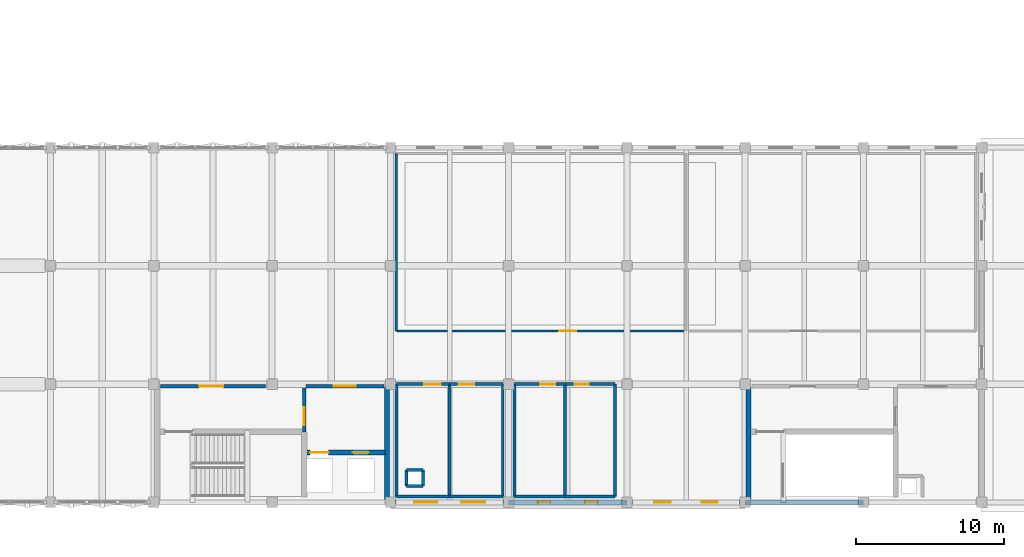
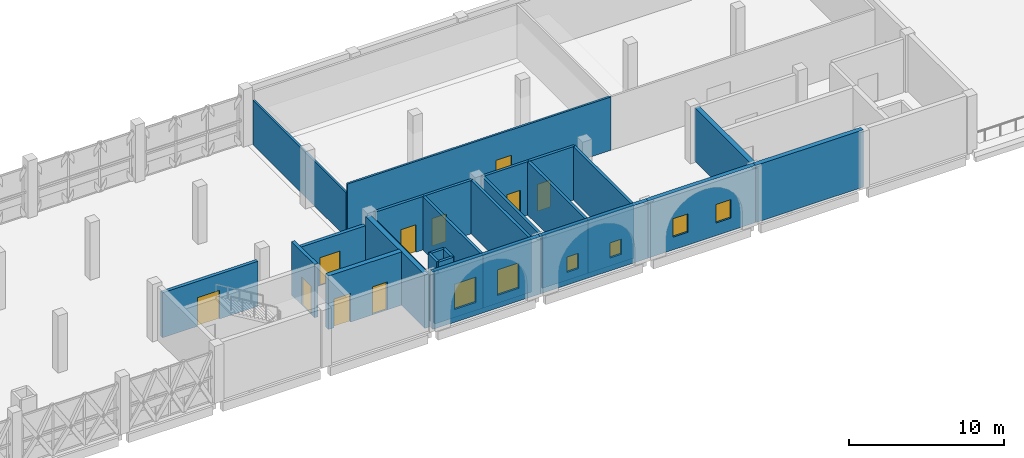
# One storey, part 28 of 45: 30 walls, 10 doors, 6 windows, 16 openings.
"""IFC4 building model written with IfcOpenShell, lengths in metres."""

from ifc_helpers import new_model, si_unit, direction, frame, frame_2d, origin, place, context, subcontext, project, spatial, rectangle, extrude, material, layer, layer_set, type_object, element, fill, save


model = new_model("IFC4")

# Units and contexts
model_context = context("Model", 3, precision=1e-05, world=origin(), true_north=direction((0.0, 1.0)))
body_context = subcontext(model_context, "Body", "Model", "MODEL_VIEW")
ifc_project = project(units=[si_unit("LENGTHUNIT", "METRE"), si_unit("AREAUNIT", "SQUARE_METRE"), si_unit("VOLUMEUNIT", "CUBIC_METRE"), si_unit("PLANEANGLEUNIT", "RADIAN"), si_unit("MASSUNIT", "GRAM", prefix="KILO")], contexts=[model_context])

# Site, building, storey
site_placement = place(None, origin())
site = spatial("IfcSite", under=ifc_project, at=site_placement, CompositionType="ELEMENT")
building_placement = place(site_placement, origin())
building = spatial("IfcBuilding", under=site, at=building_placement, Name="Qorikala Patio Media Centre", CompositionType="ELEMENT")
storey_placement = place(building_placement, frame((0.0, 0.0, 9.89990234375)))
storey = spatial("IfcBuildingStorey", under=building, at=storey_placement, Name="L02", CompositionType="ELEMENT", Elevation=9.89990234375)

# Walls
ifc_material_1 = material(Name="Concrete C35/45", Category="concrete")
ifc_layer_1 = layer(ifc_material_1, 0.35009765625)
ifc_layer_set_1 = layer_set([ifc_layer_1], Name="Concrete C35/45")
wall_type_1 = type_object("IfcWallType", Name="WL-CORE-350", PredefinedType="SHEAR", material=ifc_layer_set_1)
wall_1_placement = place(storey_placement, frame((130.0, 3.0, 0.0), z_axis=(0.0, 0.0, 1.0), x_axis=(-1.0, 0.0, 0.0)))
element("IfcWall", 1, at=wall_1_placement, inside=storey, type_object=wall_type_1, Name="L02 Core C7 Exterior Shear Wall", PredefinedType="SHEAR", context=body_context, shape_type="SweptSolid", body=[
    extrude(rectangle(XDim=8.0, YDim=0.35009765625, at=frame_2d((4.0, 0.0))), origin(), (0.0, 0.0, 1.0), 4.5),
])
wall_2_placement = place(storey_placement, frame((97.77490234375, 3.199951171875, 0.0), z_axis=(0.0, 0.0, 1.0), x_axis=(0.0, 1.0, 0.0)))
element("IfcWall", 2, at=wall_2_placement, inside=storey, type_object=wall_type_1, Name="L02 Interior Wall CW-L02-C4-EE", PredefinedType="SHEAR", context=body_context, shape_type="SweptSolid", body=[
    extrude(rectangle(XDim=7.60009765625, YDim=0.35009765625, at=frame_2d((3.800048828125, 0.0))), origin(), (0.0, 0.0, 1.0), 4.2001953125),
])

# Wall, openings, doors
wall_3_placement = place(storey_placement, frame((92.175048828125, 6.375, 0.0), z_axis=(0.0, 0.0, 1.0), x_axis=(1.0, 0.0, 0.0)))
wall_3 = element("IfcWall", 3, at=wall_3_placement, inside=storey, type_object=wall_type_1, Name="L02 Interior Wall CW-L02-C4-LFN", PredefinedType="SHEAR", context=body_context, shape_type="SweptSolid", body=[
    extrude(rectangle(XDim=5.474853515625, YDim=0.35009765625, at=frame_2d((2.7373046875, 0.0))), origin(), (0.0, 0.0, 1.0), 4.2001953125),
])
opening_1_placement = place(wall_3_placement, frame((0.39990234375, 0.0, 0.0)))
opening_1 = element("IfcOpeningElement", 4, at=opening_1_placement, cuts=wall_3, Name="Opening LD35", PredefinedType="OPENING", context=body_context, shape_type="SweptSolid", body=[
    extrude(rectangle(XDim=1.25, YDim=2.25, at=frame_2d((0.625, 1.125))), frame((0.0, 0.18505859375, 0.0), z_axis=(0.0, -1.0, 0.0), x_axis=(1.0, 0.0, 0.0)), (0.0, 0.0, 1.0), 0.3701171875),
])
opening_2_placement = place(wall_3_placement, frame((3.27490234375, 0.0, 0.0)))
opening_2 = element("IfcOpeningElement", 5, at=opening_2_placement, cuts=wall_3, Name="Opening LD36", PredefinedType="OPENING", context=body_context, shape_type="SweptSolid", body=[
    extrude(rectangle(XDim=1.10009765625, YDim=2.199951171875, at=frame_2d((0.550048828125, 1.10009765625))), frame((0.0, 0.18505859375, 0.0), z_axis=(0.0, -1.0, 0.0), x_axis=(1.0, 0.0, 0.0)), (0.0, 0.0, 1.0), 0.3701171875),
])
ifc_material_2 = material(Name="Brushed Bronze Stainless Steel", Category="steel")
door_type_1 = type_object("IfcDoorType", Name="DR-LD-110X220", OperationType="DOUBLE_DOOR_SLIDING", PredefinedType="DOOR", material=ifc_material_2)
door_1_placement = place(opening_2_placement, origin())
door_1 = element("IfcDoor", 6, at=door_1_placement, inside=storey, type_object=door_type_1, Name="L02 Lift LP-02 Sliding Landing Door", OperationType="DOUBLE_DOOR_SLIDING", OverallHeight=2.199951171875, OverallWidth=1.10009765625, PredefinedType="DOOR", context=body_context, shape_type="SweptSolid", body=[
    extrude(rectangle(XDim=1.10009765625, YDim=2.199951171875, at=frame_2d((0.550048828125, 1.10009765625))), frame((0.0, 0.02490234375, 0.0), z_axis=(0.0, -1.0, 0.0), x_axis=(1.0, 0.0, 0.0)), (0.0, 0.0, 1.0), 0.050048828125),
])
fill(opening_2, door_1)
door_type_2 = type_object("IfcDoorType", Name="DR-LD-125X225", OperationType="DOUBLE_DOOR_SLIDING", PredefinedType="DOOR", material=ifc_material_2)
door_2_placement = place(opening_1_placement, origin())
door_2 = element("IfcDoor", 7, at=door_2_placement, inside=storey, type_object=door_type_2, Name="L02 Lift LP-01 Sliding Landing Door", OperationType="DOUBLE_DOOR_SLIDING", OverallHeight=2.25, OverallWidth=1.25, PredefinedType="DOOR", context=body_context, shape_type="SweptSolid", body=[
    extrude(rectangle(XDim=1.25, YDim=2.25, at=frame_2d((0.625, 1.125))), frame((0.0, 0.02490234375, 0.0), z_axis=(0.0, -1.0, 0.0), x_axis=(1.0, 0.0, 0.0)), (0.0, 0.0, 1.0), 0.050048828125),
])
fill(opening_1, door_2)

# Wall
wall_4_placement = place(storey_placement, frame((122.22509765625, 3.199951171875, 0.0), z_axis=(0.0, 0.0, 1.0), x_axis=(0.0, 1.0, 0.0)))
element("IfcWall", 8, at=wall_4_placement, inside=storey, type_object=wall_type_1, Name="L02 Interior Wall CW-L02-C7-SW", PredefinedType="SHEAR", context=body_context, shape_type="SweptSolid", body=[
    extrude(rectangle(XDim=7.60009765625, YDim=0.35009765625, at=frame_2d((3.800048828125, 0.0))), origin(), (0.0, 0.0, 1.0), 4.2001953125),
])

# Wall, openings, windows
ifc_material_3 = material(Name="Ivory Lime Stucco and Concrete C35/45", Category="concrete")
ifc_layer_2 = layer(ifc_material_3, 0.320068359375)
ifc_layer_set_2 = layer_set([ifc_layer_2], Name="Ivory Lime Stucco and Concrete C35/45")
wall_type_2 = type_object("IfcWallType", Name="WL-EXT-320", PredefinedType="SOLIDWALL", material=ifc_layer_set_2)
wall_5_placement = place(storey_placement, frame((122.0, 3.0, 0.0), z_axis=(0.0, 0.0, 1.0), x_axis=(-1.0, 0.0, 0.0)))
wall_5 = element("IfcWall", 9, at=wall_5_placement, inside=storey, type_object=wall_type_2, Name="L02 Exterior Wall WL-L02-EXT-0019", PredefinedType="SOLIDWALL", context=body_context, shape_type="SweptSolid", body=[
    extrude(rectangle(XDim=8.0, YDim=0.320068359375, at=frame_2d((4.0, 0.0))), origin(), (0.0, 0.0, 1.0), 4.5),
])
opening_3_placement = place(wall_5_placement, frame((1.85009765625, 0.0, 1.0)))
opening_3 = element("IfcOpeningElement", 10, at=opening_3_placement, cuts=wall_5, Name="Opening WE-110", PredefinedType="OPENING", context=body_context, shape_type="SweptSolid", body=[
    extrude(rectangle(XDim=1.10009765625, YDim=1.449951171875, at=frame_2d((0.550048828125, 0.72509765625))), frame((0.0, 0.169921875, 0.0), z_axis=(0.0, -1.0, 0.0), x_axis=(1.0, 0.0, 0.0)), (0.0, 0.0, 1.0), 0.340087890625),
])
opening_4_placement = place(wall_5_placement, frame((5.050048828125, 0.0, 1.0)))
opening_4 = element("IfcOpeningElement", 11, at=opening_4_placement, cuts=wall_5, Name="Opening WE-110", PredefinedType="OPENING", context=body_context, shape_type="SweptSolid", body=[
    extrude(rectangle(XDim=1.10009765625, YDim=1.449951171875, at=frame_2d((0.550048828125, 0.72509765625))), frame((0.0, 0.169921875, 0.0), z_axis=(0.0, -1.0, 0.0), x_axis=(1.0, 0.0, 0.0)), (0.0, 0.0, 1.0), 0.340087890625),
])
ifc_material_4 = material(Name="Bronze Anodised Aluminium and Low-E Glass", Category="aluminium")
window_type_1 = type_object("IfcWindowType", Name="WN-ED-110X145", PartitioningType="SINGLE_PANEL", PredefinedType="WINDOW", material=ifc_material_4)
window_1_placement = place(opening_3_placement, origin())
window_1 = element("IfcWindow", 12, at=window_1_placement, inside=storey, type_object=window_type_1, Name="L02 Editing Wing Casement Window 0141", OverallHeight=1.449951171875, OverallWidth=1.10009765625, PartitioningType="SINGLE_PANEL", PredefinedType="WINDOW", context=body_context, shape_type="SweptSolid", body=[
    extrude(rectangle(XDim=1.10009765625, YDim=1.449951171875, at=frame_2d((0.550048828125, 0.72509765625))), frame((0.0, 0.030029296875, 0.0), z_axis=(0.0, -1.0, 0.0), x_axis=(1.0, 0.0, 0.0)), (0.0, 0.0, 1.0), 0.06005859375),
])
fill(opening_3, window_1)
window_2_placement = place(opening_4_placement, origin())
window_2 = element("IfcWindow", 13, at=window_2_placement, inside=storey, type_object=window_type_1, Name="L02 Editing Wing Casement Window 0142", OverallHeight=1.449951171875, OverallWidth=1.10009765625, PartitioningType="SINGLE_PANEL", PredefinedType="WINDOW", context=body_context, shape_type="SweptSolid", body=[
    extrude(rectangle(XDim=1.10009765625, YDim=1.449951171875, at=frame_2d((0.550048828125, 0.72509765625))), frame((0.0, 0.030029296875, 0.0), z_axis=(0.0, -1.0, 0.0), x_axis=(1.0, 0.0, 0.0)), (0.0, 0.0, 1.0), 0.06005859375),
])
fill(opening_4, window_2)

wall_6_placement = place(storey_placement, frame((114.0, 3.0, 0.0), z_axis=(0.0, 0.0, 1.0), x_axis=(-1.0, 0.0, 0.0)))
wall_6 = element("IfcWall", 14, at=wall_6_placement, inside=storey, type_object=wall_type_2, Name="L02 Exterior Wall WL-L02-EXT-0020", PredefinedType="SOLIDWALL", context=body_context, shape_type="SweptSolid", body=[
    extrude(rectangle(XDim=8.0, YDim=0.320068359375, at=frame_2d((4.0, 0.0))), origin(), (0.0, 0.0, 1.0), 4.5),
])
opening_5_placement = place(wall_6_placement, frame((1.97509765625, 0.0, 1.0)))
opening_5 = element("IfcOpeningElement", 15, at=opening_5_placement, cuts=wall_6, Name="Opening WE-085", PredefinedType="OPENING", context=body_context, shape_type="SweptSolid", body=[
    extrude(rectangle(XDim=0.85009765625, YDim=1.199951171875, at=frame_2d((0.425048828125, 0.60009765625))), frame((0.0, 0.169921875, 0.0), z_axis=(0.0, -1.0, 0.0), x_axis=(1.0, 0.0, 0.0)), (0.0, 0.0, 1.0), 0.340087890625),
])
opening_6_placement = place(wall_6_placement, frame((5.175048828125, 0.0, 1.0)))
opening_6 = element("IfcOpeningElement", 16, at=opening_6_placement, cuts=wall_6, Name="Opening WE-085", PredefinedType="OPENING", context=body_context, shape_type="SweptSolid", body=[
    extrude(rectangle(XDim=0.85009765625, YDim=1.199951171875, at=frame_2d((0.425048828125, 0.60009765625))), frame((0.0, 0.169921875, 0.0), z_axis=(0.0, -1.0, 0.0), x_axis=(1.0, 0.0, 0.0)), (0.0, 0.0, 1.0), 0.340087890625),
])
window_type_2 = type_object("IfcWindowType", Name="WN-ED-085X120", PartitioningType="SINGLE_PANEL", PredefinedType="WINDOW", material=ifc_material_4)
window_3_placement = place(opening_5_placement, origin())
window_3 = element("IfcWindow", 17, at=window_3_placement, inside=storey, type_object=window_type_2, Name="L02 Editing Wing Casement Window 0143", OverallHeight=1.199951171875, OverallWidth=0.85009765625, PartitioningType="SINGLE_PANEL", PredefinedType="WINDOW", context=body_context, shape_type="SweptSolid", body=[
    extrude(rectangle(XDim=0.85009765625, YDim=1.199951171875, at=frame_2d((0.425048828125, 0.60009765625))), frame((0.0, 0.030029296875, 0.0), z_axis=(0.0, -1.0, 0.0), x_axis=(1.0, 0.0, 0.0)), (0.0, 0.0, 1.0), 0.06005859375),
])
fill(opening_5, window_3)
window_4_placement = place(opening_6_placement, origin())
window_4 = element("IfcWindow", 18, at=window_4_placement, inside=storey, type_object=window_type_2, Name="L02 Editing Wing Casement Window 0144", OverallHeight=1.199951171875, OverallWidth=0.85009765625, PartitioningType="SINGLE_PANEL", PredefinedType="WINDOW", context=body_context, shape_type="SweptSolid", body=[
    extrude(rectangle(XDim=0.85009765625, YDim=1.199951171875, at=frame_2d((0.425048828125, 0.60009765625))), frame((0.0, 0.030029296875, 0.0), z_axis=(0.0, -1.0, 0.0), x_axis=(1.0, 0.0, 0.0)), (0.0, 0.0, 1.0), 0.06005859375),
])
fill(opening_6, window_4)

wall_7_placement = place(storey_placement, frame((106.0, 3.0, 0.0), z_axis=(0.0, 0.0, 1.0), x_axis=(-1.0, 0.0, 0.0)))
wall_7 = element("IfcWall", 19, at=wall_7_placement, inside=storey, type_object=wall_type_2, Name="L02 Exterior Wall WL-L02-EXT-0021", PredefinedType="SOLIDWALL", context=body_context, shape_type="SweptSolid", body=[
    extrude(rectangle(XDim=8.0, YDim=0.320068359375, at=frame_2d((4.0, 0.0))), origin(), (0.0, 0.0, 1.0), 4.5),
])
opening_7_placement = place(wall_7_placement, frame((1.60009765625, 0.0, 1.0)))
opening_7 = element("IfcOpeningElement", 20, at=opening_7_placement, cuts=wall_7, Name="Opening WE-160", PredefinedType="OPENING", context=body_context, shape_type="SweptSolid", body=[
    extrude(rectangle(XDim=1.60009765625, YDim=2.0, at=frame_2d((0.800048828125, 1.0))), frame((0.0, 0.169921875, 0.0), z_axis=(0.0, -1.0, 0.0), x_axis=(1.0, 0.0, 0.0)), (0.0, 0.0, 1.0), 0.340087890625),
])
opening_8_placement = place(wall_7_placement, frame((4.800048828125, 0.0, 1.0)))
opening_8 = element("IfcOpeningElement", 21, at=opening_8_placement, cuts=wall_7, Name="Opening WE-160", PredefinedType="OPENING", context=body_context, shape_type="SweptSolid", body=[
    extrude(rectangle(XDim=1.60009765625, YDim=2.0, at=frame_2d((0.800048828125, 1.0))), frame((0.0, 0.169921875, 0.0), z_axis=(0.0, -1.0, 0.0), x_axis=(1.0, 0.0, 0.0)), (0.0, 0.0, 1.0), 0.340087890625),
])
window_type_3 = type_object("IfcWindowType", Name="WN-ED-160X200", PartitioningType="SINGLE_PANEL", PredefinedType="WINDOW", material=ifc_material_4)
window_5_placement = place(opening_7_placement, origin())
window_5 = element("IfcWindow", 22, at=window_5_placement, inside=storey, type_object=window_type_3, Name="L02 Editing Wing Casement Window 0145", OverallHeight=2.0, OverallWidth=1.60009765625, PartitioningType="SINGLE_PANEL", PredefinedType="WINDOW", context=body_context, shape_type="SweptSolid", body=[
    extrude(rectangle(XDim=1.60009765625, YDim=2.0, at=frame_2d((0.800048828125, 1.0))), frame((0.0, 0.030029296875, 0.0), z_axis=(0.0, -1.0, 0.0), x_axis=(1.0, 0.0, 0.0)), (0.0, 0.0, 1.0), 0.06005859375),
])
fill(opening_7, window_5)
window_6_placement = place(opening_8_placement, origin())
window_6 = element("IfcWindow", 23, at=window_6_placement, inside=storey, type_object=window_type_3, Name="L02 Editing Wing Casement Window 0146", OverallHeight=2.0, OverallWidth=1.60009765625, PartitioningType="SINGLE_PANEL", PredefinedType="WINDOW", context=body_context, shape_type="SweptSolid", body=[
    extrude(rectangle(XDim=1.60009765625, YDim=2.0, at=frame_2d((0.800048828125, 1.0))), frame((0.0, 0.030029296875, 0.0), z_axis=(0.0, -1.0, 0.0), x_axis=(1.0, 0.0, 0.0)), (0.0, 0.0, 1.0), 0.06005859375),
])
fill(opening_8, window_6)

# Wall, opening, door
ifc_layer_3 = layer(ifc_material_1, 0.25)
ifc_layer_set_3 = layer_set([ifc_layer_3], Name="Concrete C35/45")
wall_type_3 = type_object("IfcWallType", Name="WL-FFL-250", PredefinedType="PARTITIONING", material=ifc_layer_set_3)
wall_8_placement = place(storey_placement, frame((92.175048828125, 7.77490234375, 0.0), z_axis=(0.0, 0.0, 1.0), x_axis=(0.0, 1.0, 0.0)))
wall_8 = element("IfcWall", 24, at=wall_8_placement, inside=storey, type_object=wall_type_3, Name="L02 Interior Wall CW-L02-C4-LBD", PredefinedType="PARTITIONING", context=body_context, shape_type="SweptSolid", body=[
    extrude(rectangle(XDim=2.97509765625, YDim=0.25, at=frame_2d((1.487548828125, 0.0))), origin(), (0.0, 0.0, 1.0), 4.2001953125),
])
opening_9_placement = place(wall_8_placement, frame((0.449951171875, 0.0, 0.0)))
opening_9 = element("IfcOpeningElement", 25, at=opening_9_placement, cuts=wall_8, Name="Opening D132", PredefinedType="OPENING", context=body_context, shape_type="SweptSolid", body=[
    extrude(rectangle(XDim=1.199951171875, YDim=2.199951171875, at=frame_2d((0.60009765625, 1.10009765625))), frame((0.0, 0.135009765625, 0.0), z_axis=(0.0, -1.0, 0.0), x_axis=(1.0, 0.0, 0.0)), (0.0, 0.0, 1.0), 0.27001953125),
])
ifc_material_5 = material(Name="Acoustic Fire Timber and Steel", Category="steel")
door_type_3 = type_object("IfcDoorType", Name="DR-FD60-120X220", OperationType="NOTDEFINED", PredefinedType="DOOR", material=ifc_material_5)
door_3_placement = place(opening_9_placement, origin())
door_3 = element("IfcDoor", 26, at=door_3_placement, inside=storey, type_object=door_type_3, Name="L02 Core C4 Firefighting Lobby Cross Door", OperationType="SINGLE_SWING_RIGHT", OverallHeight=2.199951171875, OverallWidth=1.199951171875, PredefinedType="DOOR", context=body_context, shape_type="SweptSolid", body=[
    extrude(rectangle(XDim=1.199951171875, YDim=2.199951171875, at=frame_2d((0.60009765625, 1.10009765625))), frame((0.0, 0.02490234375, 0.0), z_axis=(0.0, -1.0, 0.0), x_axis=(1.0, 0.0, 0.0)), (0.0, 0.0, 1.0), 0.050048828125),
])
fill(opening_9, door_3)

wall_9_placement = place(storey_placement, frame((82.449951171875, 10.85009765625, 0.0), z_axis=(0.0, 0.0, 1.0), x_axis=(1.0, 0.0, 0.0)))
wall_9 = element("IfcWall", 27, at=wall_9_placement, inside=storey, type_object=wall_type_3, Name="L02 Interior Wall CW-L02-C4-CN1", PredefinedType="PARTITIONING", context=body_context, shape_type="SweptSolid", body=[
    extrude(rectangle(XDim=7.10009765625, YDim=0.25, at=frame_2d((3.550048828125, 0.0))), origin(), (0.0, 0.0, 1.0), 3.53515625),
])
opening_10_placement = place(wall_9_placement, frame((2.60009765625, 0.0, 0.0)))
opening_10 = element("IfcOpeningElement", 28, at=opening_10_placement, cuts=wall_9, Name="Opening D133", PredefinedType="OPENING", context=body_context, shape_type="SweptSolid", body=[
    extrude(rectangle(XDim=1.64990234375, YDim=2.25, at=frame_2d((0.824951171875, 1.125))), frame((0.0, 0.135009765625, 0.0), z_axis=(0.0, -1.0, 0.0), x_axis=(1.0, 0.0, 0.0)), (0.0, 0.0, 1.0), 0.27001953125),
])
ifc_material_6 = material(Name="Powder-Coated Acoustic Fire Steel", Category="steel")
door_type_4 = type_object("IfcDoorType", Name="DR-FD60-165X225", OperationType="DOUBLE_DOOR_SINGLE_SWING", PredefinedType="DOOR", material=ifc_material_6)
door_4_placement = place(opening_10_placement, frame((1.64990234375, 0.0, 0.0), z_axis=(0.0, 0.0, 1.0), x_axis=(-1.0, 0.0, 0.0)))
door_4 = element("IfcDoor", 29, at=door_4_placement, inside=storey, type_object=door_type_4, Name="L02 Core C4 Vestibule Door", OperationType="DOUBLE_DOOR_SINGLE_SWING", OverallHeight=2.25, OverallWidth=1.64990234375, PredefinedType="DOOR", context=body_context, shape_type="SweptSolid", body=[
    extrude(rectangle(XDim=1.64990234375, YDim=2.25, at=frame_2d((0.824951171875, 1.125))), frame((0.0, 0.02490234375, 0.0), z_axis=(0.0, -1.0, 0.0), x_axis=(1.0, 0.0, 0.0)), (0.0, 0.0, 1.0), 0.050048828125),
])
fill(opening_10, door_4)

wall_10_placement = place(storey_placement, frame((92.300048828125, 10.85009765625, 0.0), z_axis=(0.0, 0.0, 1.0), x_axis=(1.0, 0.0, 0.0)))
wall_10 = element("IfcWall", 30, at=wall_10_placement, inside=storey, type_object=wall_type_3, Name="L02 Interior Wall CW-L02-C4-CN2", PredefinedType="PARTITIONING", context=body_context, shape_type="SweptSolid", body=[
    extrude(rectangle(XDim=5.25, YDim=0.25, at=frame_2d((2.625, 0.0))), origin(), (0.0, 0.0, 1.0), 3.53515625),
])
opening_11_placement = place(wall_10_placement, frame((1.85009765625, 0.0, 0.0)))
opening_11 = element("IfcOpeningElement", 31, at=opening_11_placement, cuts=wall_10, Name="Opening D134", PredefinedType="OPENING", context=body_context, shape_type="SweptSolid", body=[
    extrude(rectangle(XDim=1.5, YDim=2.199951171875, at=frame_2d((0.75, 1.10009765625))), frame((0.0, 0.135009765625, 0.0), z_axis=(0.0, -1.0, 0.0), x_axis=(1.0, 0.0, 0.0)), (0.0, 0.0, 1.0), 0.27001953125),
])
door_type_5 = type_object("IfcDoorType", Name="DR-FD60-150X220", OperationType="DOUBLE_DOOR_SINGLE_SWING", PredefinedType="DOOR", material=ifc_material_6)
door_5_placement = place(opening_11_placement, origin())
door_5 = element("IfcDoor", 32, at=door_5_placement, inside=storey, type_object=door_type_5, Name="L02 Core C4 Firefighting Lobby Door", OperationType="DOUBLE_DOOR_SINGLE_SWING", OverallHeight=2.199951171875, OverallWidth=1.5, PredefinedType="DOOR", context=body_context, shape_type="SweptSolid", body=[
    extrude(rectangle(XDim=1.5, YDim=2.199951171875, at=frame_2d((0.75, 1.10009765625))), frame((0.0, 0.02490234375, 0.0), z_axis=(0.0, -1.0, 0.0), x_axis=(1.0, 0.0, 0.0)), (0.0, 0.0, 1.0), 0.050048828125),
])
fill(opening_11, door_5)

ifc_material_7 = material(Name="Acoustic Gypsum Stud Partition")
ifc_layer_4 = layer(ifc_material_7, 0.14990234375)
ifc_layer_set_4 = layer_set([ifc_layer_4], Name="Acoustic Gypsum Stud Partition")
wall_type_4 = type_object("IfcWallType", Name="WL-PT-150", PredefinedType="PARTITIONING", material=ifc_layer_set_4)
wall_11_placement = place(storey_placement, frame((98.39990234375, 14.60009765625, 0.0), z_axis=(0.0, 0.0, 1.0), x_axis=(1.0, 0.0, 0.0)))
wall_11 = element("IfcWall", 33, at=wall_11_placement, inside=storey, type_object=wall_type_4, Name="L02 Interior Wall WINT-L02-ED21-S", PredefinedType="PARTITIONING", context=body_context, shape_type="SweptSolid", body=[
    extrude(rectangle(XDim=19.60009765625, YDim=0.14990234375, at=frame_2d((9.800048828125, 0.0))), origin(), (0.0, 0.0, 1.0), 4.2001953125),
])
opening_12_placement = place(wall_11_placement, frame((11.034912109375, 0.0, 0.0)))
opening_12 = element("IfcOpeningElement", 34, at=opening_12_placement, cuts=wall_11, Name="Opening D275", PredefinedType="OPENING", context=body_context, shape_type="SweptSolid", body=[
    extrude(rectangle(XDim=1.14990234375, YDim=2.199951171875, at=frame_2d((0.574951171875, 1.10009765625))), frame((0.0, 0.0849609375, 0.0), z_axis=(0.0, -1.0, 0.0), x_axis=(1.0, 0.0, 0.0)), (0.0, 0.0, 1.0), 0.169921875),
])
ifc_material_8 = material(Name="Acoustic Oak Veneer Timber", Category="wood")
door_type_6 = type_object("IfcDoorType", Name="DR-IN-115X220", OperationType="NOTDEFINED", PredefinedType="DOOR", material=ifc_material_8)
door_6_placement = place(opening_12_placement, origin())
door_6 = element("IfcDoor", 35, at=door_6_placement, inside=storey, type_object=door_type_6, Name="Editing Suite 201 Door 064", OperationType="SINGLE_SWING_LEFT", OverallHeight=2.199951171875, OverallWidth=1.14990234375, PredefinedType="DOOR", context=body_context, shape_type="SweptSolid", body=[
    extrude(rectangle(XDim=1.14990234375, YDim=2.199951171875, at=frame_2d((0.574951171875, 1.10009765625))), frame((0.0, 0.02490234375, 0.0), z_axis=(0.0, -1.0, 0.0), x_axis=(1.0, 0.0, 0.0)), (0.0, 0.0, 1.0), 0.050048828125),
])
fill(opening_12, door_6)

# Walls
wall_12_placement = place(storey_placement, frame((98.39990234375, 14.60009765625, 0.0), z_axis=(0.0, 0.0, 1.0), x_axis=(0.0, 1.0, 0.0)))
element("IfcWall", 36, at=wall_12_placement, inside=storey, type_object=wall_type_4, Name="L02 Interior Wall WINT-L02-ED21-W", PredefinedType="PARTITIONING", context=body_context, shape_type="SweptSolid", body=[
    extrude(rectangle(XDim=12.0, YDim=0.14990234375, at=frame_2d((6.0, 0.0))), origin(), (0.0, 0.0, 1.0), 3.505126953125),
])
ifc_material_9 = material(Name="Acoustic Masonry and Plaster Concrete C30/37", Category="masonry")
ifc_layer_5 = layer(ifc_material_9, 0.199951171875)
ifc_layer_set_5 = layer_set([ifc_layer_5], Name="Acoustic Masonry and Plaster Concrete C30/37")
wall_type_5 = type_object("IfcWallType", Name="WL-ST-200", PredefinedType="PARTITIONING", material=ifc_layer_set_5)
wall_13_placement = place(storey_placement, frame((98.39990234375, 3.39990234375, 0.0), z_axis=(0.0, 0.0, 1.0), x_axis=(1.0, 0.0, 0.0)))
element("IfcWall", 37, at=wall_13_placement, inside=storey, type_object=wall_type_5, Name="L02 Interior Wall WINT-L02-L2WMWC-S", PredefinedType="PARTITIONING", context=body_context, shape_type="SweptSolid", body=[
    extrude(rectangle(XDim=3.60009765625, YDim=0.199951171875, at=frame_2d((1.800048828125, 0.0))), origin(), (0.0, 0.0, 1.0), 4.2001953125),
])
wall_14_placement = place(storey_placement, frame((102.0, 3.39990234375, 0.0), z_axis=(0.0, 0.0, 1.0), x_axis=(0.0, 1.0, 0.0)))
element("IfcWall", 38, at=wall_14_placement, inside=storey, type_object=wall_type_5, Name="L02 Interior Wall WINT-L02-L2WMWC-E", PredefinedType="PARTITIONING", context=body_context, shape_type="SweptSolid", body=[
    extrude(rectangle(XDim=7.60009765625, YDim=0.199951171875, at=frame_2d((3.800048828125, 0.0))), origin(), (0.0, 0.0, 1.0), 4.2001953125),
])

# Wall, opening, door
wall_15_placement = place(storey_placement, frame((98.39990234375, 11.0, 0.0), z_axis=(0.0, 0.0, 1.0), x_axis=(1.0, 0.0, 0.0)))
wall_15 = element("IfcWall", 39, at=wall_15_placement, inside=storey, type_object=wall_type_5, Name="L02 Interior Wall WINT-L02-L2WMWC-N", PredefinedType="PARTITIONING", context=body_context, shape_type="SweptSolid", body=[
    extrude(rectangle(XDim=3.60009765625, YDim=0.199951171875, at=frame_2d((1.800048828125, 0.0))), origin(), (0.0, 0.0, 1.0), 4.2001953125),
])
opening_13_placement = place(wall_15_placement, frame((1.89990234375, 0.0, 0.0)))
opening_13 = element("IfcOpeningElement", 40, at=opening_13_placement, cuts=wall_15, Name="Opening D271", PredefinedType="OPENING", context=body_context, shape_type="SweptSolid", body=[
    extrude(rectangle(XDim=1.10009765625, YDim=2.14990234375, at=frame_2d((0.550048828125, 1.074951171875))), frame((0.0, 0.10986328125, 0.0), z_axis=(0.0, -1.0, 0.0), x_axis=(1.0, 0.0, 0.0)), (0.0, 0.0, 1.0), 0.219970703125),
])
door_type_7 = type_object("IfcDoorType", Name="DR-FD60-110X215", OperationType="NOTDEFINED", PredefinedType="DOOR", material=ifc_material_5)
door_7_placement = place(opening_13_placement, origin())
door_7 = element("IfcDoor", 41, at=door_7_placement, inside=storey, type_object=door_type_7, Name="Male Toilet Door 060", OperationType="SINGLE_SWING_LEFT", OverallHeight=2.14990234375, OverallWidth=1.10009765625, PredefinedType="DOOR", context=body_context, shape_type="SweptSolid", body=[
    extrude(rectangle(XDim=1.10009765625, YDim=2.14990234375, at=frame_2d((0.550048828125, 1.074951171875))), frame((0.0, 0.02490234375, 0.0), z_axis=(0.0, -1.0, 0.0), x_axis=(1.0, 0.0, 0.0)), (0.0, 0.0, 1.0), 0.050048828125),
])
fill(opening_13, door_7)

# Walls
wall_16_placement = place(storey_placement, frame((98.39990234375, 3.39990234375, 0.0), z_axis=(0.0, 0.0, 1.0), x_axis=(0.0, 1.0, 0.0)))
element("IfcWall", 42, at=wall_16_placement, inside=storey, type_object=wall_type_5, Name="L02 Interior Wall WINT-L02-L2WMWC-W", PredefinedType="PARTITIONING", context=body_context, shape_type="SweptSolid", body=[
    extrude(rectangle(XDim=7.60009765625, YDim=0.199951171875, at=frame_2d((3.800048828125, 0.0))), origin(), (0.0, 0.0, 1.0), 3.505126953125),
])
wall_17_placement = place(storey_placement, frame((102.0, 3.39990234375, 0.0), z_axis=(0.0, 0.0, 1.0), x_axis=(1.0, 0.0, 0.0)))
element("IfcWall", 43, at=wall_17_placement, inside=storey, type_object=wall_type_5, Name="L02 Interior Wall WINT-L02-L2WFWC-S", PredefinedType="PARTITIONING", context=body_context, shape_type="SweptSolid", body=[
    extrude(rectangle(XDim=3.60009765625, YDim=0.199951171875, at=frame_2d((1.800048828125, 0.0))), origin(), (0.0, 0.0, 1.0), 4.2001953125),
])
wall_18_placement = place(storey_placement, frame((105.60009765625, 3.39990234375, 0.0), z_axis=(0.0, 0.0, 1.0), x_axis=(0.0, 1.0, 0.0)))
element("IfcWall", 44, at=wall_18_placement, inside=storey, type_object=wall_type_5, Name="L02 Interior Wall WINT-L02-L2WFWC-E", PredefinedType="PARTITIONING", context=body_context, shape_type="SweptSolid", body=[
    extrude(rectangle(XDim=7.60009765625, YDim=0.199951171875, at=frame_2d((3.800048828125, 0.0))), origin(), (0.0, 0.0, 1.0), 4.2001953125),
])

# Wall, opening, door
wall_19_placement = place(storey_placement, frame((102.0, 11.0, 0.0), z_axis=(0.0, 0.0, 1.0), x_axis=(1.0, 0.0, 0.0)))
wall_19 = element("IfcWall", 45, at=wall_19_placement, inside=storey, type_object=wall_type_5, Name="L02 Interior Wall WINT-L02-L2WFWC-N", PredefinedType="PARTITIONING", context=body_context, shape_type="SweptSolid", body=[
    extrude(rectangle(XDim=3.60009765625, YDim=0.199951171875, at=frame_2d((1.800048828125, 0.0))), origin(), (0.0, 0.0, 1.0), 4.2001953125),
])
opening_14_placement = place(wall_19_placement, frame((0.625, 0.0, 0.0)))
opening_14 = element("IfcOpeningElement", 46, at=opening_14_placement, cuts=wall_19, Name="Opening D272", PredefinedType="OPENING", context=body_context, shape_type="SweptSolid", body=[
    extrude(rectangle(XDim=1.050048828125, YDim=2.159912109375, at=frame_2d((0.52490234375, 1.080078125))), frame((0.0, 0.10986328125, 0.0), z_axis=(0.0, -1.0, 0.0), x_axis=(1.0, 0.0, 0.0)), (0.0, 0.0, 1.0), 0.219970703125),
])
door_type_8 = type_object("IfcDoorType", Name="DR-FD60-105X216", OperationType="NOTDEFINED", PredefinedType="DOOR", material=ifc_material_5)
door_8_placement = place(opening_14_placement, origin())
door_8 = element("IfcDoor", 47, at=door_8_placement, inside=storey, type_object=door_type_8, Name="Female Toilet Door 061", OperationType="SINGLE_SWING_RIGHT", OverallHeight=2.159912109375, OverallWidth=1.050048828125, PredefinedType="DOOR", context=body_context, shape_type="SweptSolid", body=[
    extrude(rectangle(XDim=1.050048828125, YDim=2.159912109375, at=frame_2d((0.52490234375, 1.080078125))), frame((0.0, 0.02490234375, 0.0), z_axis=(0.0, -1.0, 0.0), x_axis=(1.0, 0.0, 0.0)), (0.0, 0.0, 1.0), 0.050048828125),
])
fill(opening_14, door_8)

# Walls
wall_20_placement = place(storey_placement, frame((106.39990234375, 3.39990234375, 0.0), z_axis=(0.0, 0.0, 1.0), x_axis=(1.0, 0.0, 0.0)))
element("IfcWall", 48, at=wall_20_placement, inside=storey, type_object=wall_type_5, Name="L02 Interior Wall WINT-L02-L2WAWC-S", PredefinedType="PARTITIONING", context=body_context, shape_type="SweptSolid", body=[
    extrude(rectangle(XDim=3.400146484375, YDim=0.199951171875, at=frame_2d((1.7001953125, 0.0))), origin(), (0.0, 0.0, 1.0), 4.2001953125),
])
wall_21_placement = place(storey_placement, frame((109.800048828125, 3.39990234375, 0.0), z_axis=(0.0, 0.0, 1.0), x_axis=(0.0, 1.0, 0.0)))
element("IfcWall", 49, at=wall_21_placement, inside=storey, type_object=wall_type_5, Name="L02 Interior Wall WINT-L02-L2WAWC-E", PredefinedType="PARTITIONING", context=body_context, shape_type="SweptSolid", body=[
    extrude(rectangle(XDim=7.60009765625, YDim=0.199951171875, at=frame_2d((3.800048828125, 0.0))), origin(), (0.0, 0.0, 1.0), 4.2001953125),
])

# Wall, opening, door
wall_22_placement = place(storey_placement, frame((106.39990234375, 11.0, 0.0), z_axis=(0.0, 0.0, 1.0), x_axis=(1.0, 0.0, 0.0)))
wall_22 = element("IfcWall", 50, at=wall_22_placement, inside=storey, type_object=wall_type_5, Name="L02 Interior Wall WINT-L02-L2WAWC-N", PredefinedType="PARTITIONING", context=body_context, shape_type="SweptSolid", body=[
    extrude(rectangle(XDim=3.400146484375, YDim=0.199951171875, at=frame_2d((1.7001953125, 0.0))), origin(), (0.0, 0.0, 1.0), 4.2001953125),
])
opening_15_placement = place(wall_22_placement, frame((1.75, 0.0, 0.0)))
opening_15 = element("IfcOpeningElement", 51, at=opening_15_placement, cuts=wall_22, Name="Opening D273", PredefinedType="OPENING", context=body_context, shape_type="SweptSolid", body=[
    extrude(rectangle(XDim=1.0, YDim=2.14990234375, at=frame_2d((0.5, 1.074951171875))), frame((0.0, 0.10986328125, 0.0), z_axis=(0.0, -1.0, 0.0), x_axis=(1.0, 0.0, 0.0)), (0.0, 0.0, 1.0), 0.219970703125),
])
door_type_9 = type_object("IfcDoorType", Name="DR-FD60-100X215", OperationType="NOTDEFINED", PredefinedType="DOOR", material=ifc_material_5)
door_9_placement = place(opening_15_placement, origin())
door_9 = element("IfcDoor", 52, at=door_9_placement, inside=storey, type_object=door_type_9, Name="Accessible Toilet Door 062", OperationType="SINGLE_SWING_LEFT", OverallHeight=2.14990234375, OverallWidth=1.0, PredefinedType="DOOR", context=body_context, shape_type="SweptSolid", body=[
    extrude(rectangle(XDim=1.0, YDim=2.14990234375, at=frame_2d((0.5, 1.074951171875))), frame((0.0, 0.02490234375, 0.0), z_axis=(0.0, -1.0, 0.0), x_axis=(1.0, 0.0, 0.0)), (0.0, 0.0, 1.0), 0.050048828125),
])
fill(opening_15, door_9)

# Walls
wall_23_placement = place(storey_placement, frame((106.39990234375, 3.39990234375, 0.0), z_axis=(0.0, 0.0, 1.0), x_axis=(0.0, 1.0, 0.0)))
element("IfcWall", 53, at=wall_23_placement, inside=storey, type_object=wall_type_5, Name="L02 Interior Wall WINT-L02-L2WAWC-W", PredefinedType="PARTITIONING", context=body_context, shape_type="SweptSolid", body=[
    extrude(rectangle(XDim=7.60009765625, YDim=0.199951171875, at=frame_2d((3.800048828125, 0.0))), origin(), (0.0, 0.0, 1.0), 4.2001953125),
])
wall_24_placement = place(storey_placement, frame((109.800048828125, 3.39990234375, 0.0), z_axis=(0.0, 0.0, 1.0), x_axis=(1.0, 0.0, 0.0)))
element("IfcWall", 54, at=wall_24_placement, inside=storey, type_object=wall_type_5, Name="L02 Interior Wall WINT-L02-L2WSTR-S", PredefinedType="PARTITIONING", context=body_context, shape_type="SweptSolid", body=[
    extrude(rectangle(XDim=3.39990234375, YDim=0.199951171875, at=frame_2d((1.699951171875, 0.0))), origin(), (0.0, 0.0, 1.0), 4.2001953125),
])
wall_25_placement = place(storey_placement, frame((113.199951171875, 3.39990234375, 0.0), z_axis=(0.0, 0.0, 1.0), x_axis=(0.0, 1.0, 0.0)))
element("IfcWall", 55, at=wall_25_placement, inside=storey, type_object=wall_type_5, Name="L02 Interior Wall WINT-L02-L2WSTR-E", PredefinedType="PARTITIONING", context=body_context, shape_type="SweptSolid", body=[
    extrude(rectangle(XDim=7.60009765625, YDim=0.199951171875, at=frame_2d((3.800048828125, 0.0))), origin(), (0.0, 0.0, 1.0), 4.2001953125),
])

# Wall, opening, door
wall_26_placement = place(storey_placement, frame((109.800048828125, 11.0, 0.0), z_axis=(0.0, 0.0, 1.0), x_axis=(1.0, 0.0, 0.0)))
wall_26 = element("IfcWall", 56, at=wall_26_placement, inside=storey, type_object=wall_type_5, Name="L02 Interior Wall WINT-L02-L2WSTR-N", PredefinedType="PARTITIONING", context=body_context, shape_type="SweptSolid", body=[
    extrude(rectangle(XDim=3.39990234375, YDim=0.199951171875, at=frame_2d((1.699951171875, 0.0))), origin(), (0.0, 0.0, 1.0), 4.2001953125),
])
opening_16_placement = place(wall_26_placement, frame((0.675048828125, 0.0, 0.0)))
opening_16 = element("IfcOpeningElement", 57, at=opening_16_placement, cuts=wall_26, Name="Opening D274", PredefinedType="OPENING", context=body_context, shape_type="SweptSolid", body=[
    extrude(rectangle(XDim=0.949951171875, YDim=2.10009765625, at=frame_2d((0.47509765625, 1.050048828125))), frame((0.0, 0.10986328125, 0.0), z_axis=(0.0, -1.0, 0.0), x_axis=(1.0, 0.0, 0.0)), (0.0, 0.0, 1.0), 0.219970703125),
])
ifc_material_10 = material(Name="Acoustic Fire Timber", Category="wood")
door_type_10 = type_object("IfcDoorType", Name="DR-FD60-095X210", OperationType="NOTDEFINED", PredefinedType="DOOR", material=ifc_material_10)
door_10_placement = place(opening_16_placement, origin())
door_10 = element("IfcDoor", 58, at=door_10_placement, inside=storey, type_object=door_type_10, Name="Technical Equipment Store Door 063", OperationType="SINGLE_SWING_RIGHT", OverallHeight=2.10009765625, OverallWidth=0.949951171875, PredefinedType="DOOR", context=body_context, shape_type="SweptSolid", body=[
    extrude(rectangle(XDim=0.949951171875, YDim=2.10009765625, at=frame_2d((0.47509765625, 1.050048828125))), frame((0.0, 0.02490234375, 0.0), z_axis=(0.0, -1.0, 0.0), x_axis=(1.0, 0.0, 0.0)), (0.0, 0.0, 1.0), 0.050048828125),
])
fill(opening_16, door_10)

# Walls
for number, where, z_axis, x_axis, name in (
    (59, (99.10009765625, 4.10009765625, 0.0), (0.0, 0.0, 1.0), (1.0, 0.0, 0.0), "L02 Interior Wall RSW-8-L02-S"),
    (60, (99.10009765625, 5.199951171875, 0.0), (0.0, 0.0, 1.0), (1.0, 0.0, 0.0), "L02 Interior Wall RSW-8-L02-N"),
    (61, (99.10009765625, 4.10009765625, 0.0), (0.0, 0.0, 1.0), (0.0, 1.0, 0.0), "L02 Interior Wall RSW-8-L02-W"),
    (62, (100.199951171875, 4.10009765625, 0.0), (0.0, 0.0, 1.0), (0.0, 1.0, 0.0), "L02 Interior Wall RSW-8-L02-E"),
):
    element("IfcWall", number, at=place(storey_placement, frame(where, z_axis=z_axis, x_axis=x_axis)), inside=storey, type_object=wall_type_5, Name=name, PredefinedType="PARTITIONING", context=body_context, shape_type="SweptSolid", body=[
        extrude(rectangle(XDim=1.099853515625, YDim=0.199951171875, at=frame_2d((0.5498046875, 0.0))), origin(), (0.0, 0.0, 1.0), 4.2001953125),
    ])

save(model, "model.ifc")
